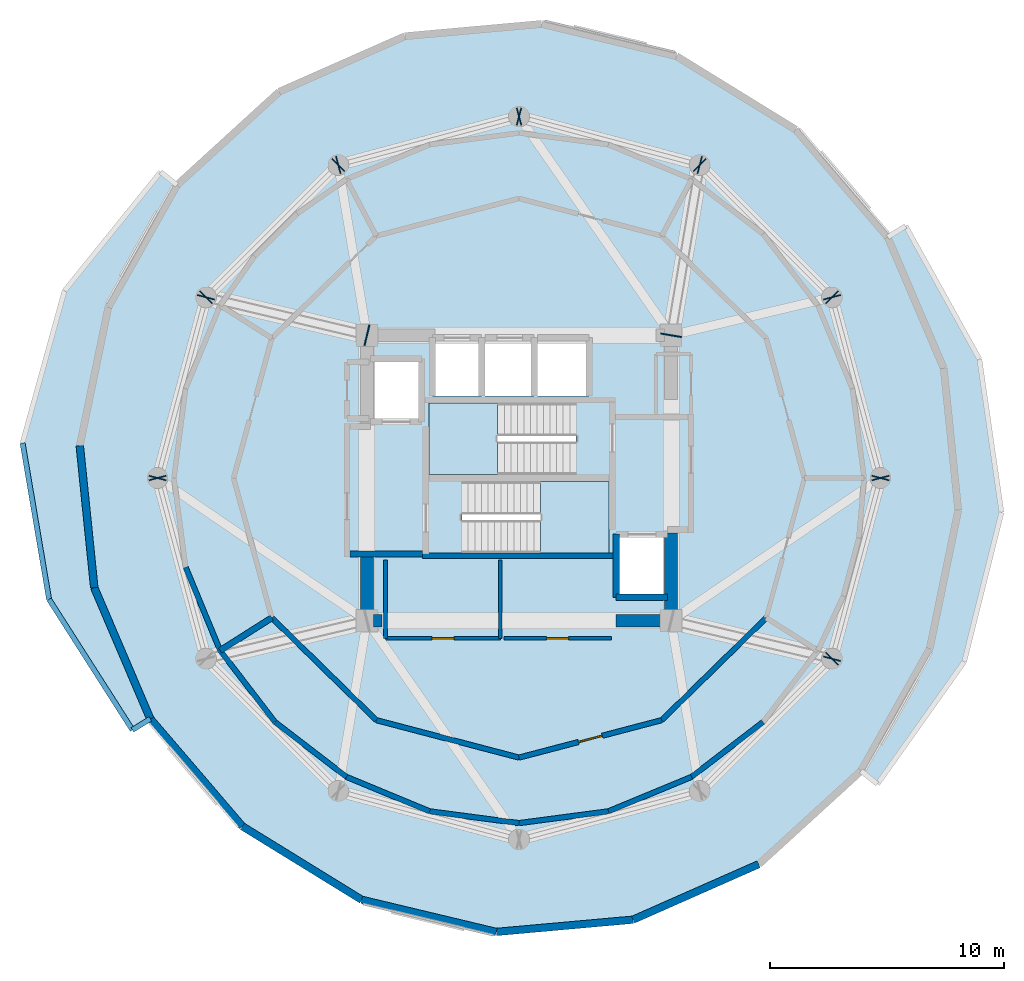
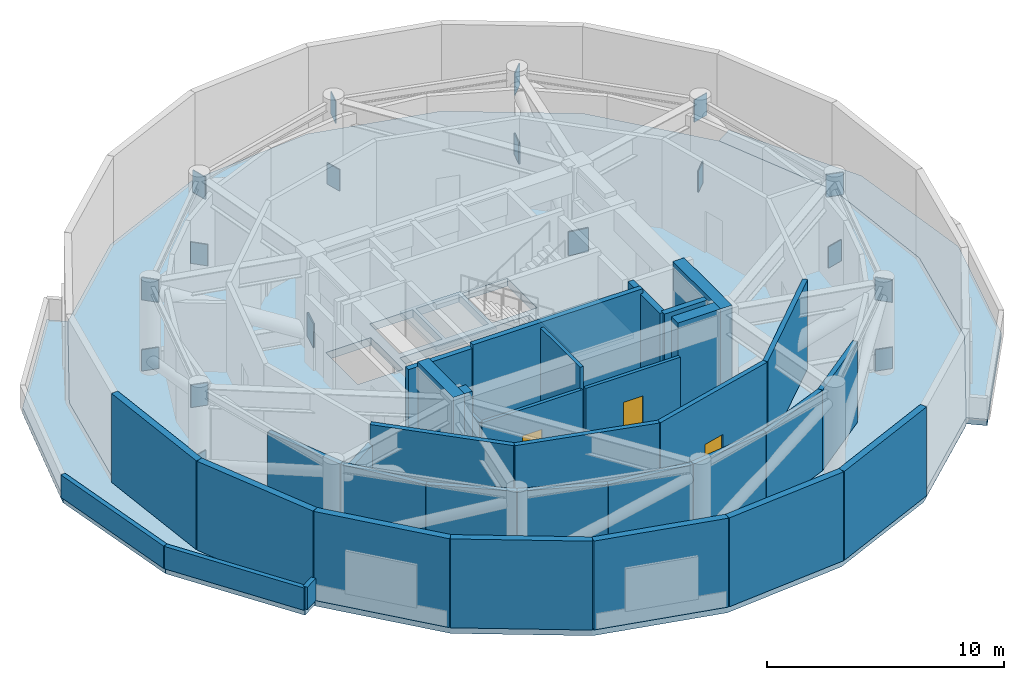
# One storey, part 2 of 7: 35 walls, 18 plates, 5 slabs, 3 doors, 3 openings, 2 elements without a shape of their own.
"""IFC4 building model written with IfcOpenShell, lengths in metres."""

from ifc_helpers import new_model, si_unit, direction, frame, frame_2d, origin, origin_2d, place, context, subcontext, project, spatial, polyline, rectangle, outline, extrude, material, layer, layer_set, type_object, element, fill, aggregate, save


model = new_model("IFC4")

# Units and contexts
model_context = context("Model", 3, precision=1e-05, world=origin(), true_north=direction((0.0, 1.0)))
body_context = subcontext(model_context, "Body", "Model", "MODEL_VIEW")
ifc_project = project(units=[si_unit("LENGTHUNIT", "METRE"), si_unit("AREAUNIT", "SQUARE_METRE"), si_unit("VOLUMEUNIT", "CUBIC_METRE"), si_unit("PLANEANGLEUNIT", "RADIAN"), si_unit("MASSUNIT", "GRAM", prefix="KILO")], contexts=[model_context])

# Site, building, storey
site_placement = place(None, origin())
site = spatial("IfcSite", under=ifc_project, at=site_placement, CompositionType="ELEMENT")
building_placement = place(site_placement, origin())
building = spatial("IfcBuilding", under=site, at=building_placement, Name="Solvirekh Grand Hotel", CompositionType="ELEMENT")
storey_placement = place(building_placement, frame((0.0, 0.0, 234.39990234375)))
storey = spatial("IfcBuildingStorey", under=building, at=storey_placement, Name="L61", CompositionType="ELEMENT", Elevation=234.39990234375)

# Plates
ifc_material_1 = material(Name="Steel S460", Category="steel")
ifc_layer_1 = layer(ifc_material_1, 0.044921875)
ifc_layer_set_1 = layer_set([ifc_layer_1], Name="Steel S460")
plate_type_1 = type_object("IfcPlateType", Name="GussetPlate_45", PredefinedType="USERDEFINED", material=ifc_layer_set_1)
for number, where, z_axis, x_axis, name in (
    (1, (15.449951171875, 0.0, -0.060791015625), (0.0, 0.0, 1.0), (-0.258819045103, 0.965925826289, 0.0), "L61 hollow-section node plate GP-L61-BELT-01A"),
    (2, (13.3798828125, 7.72509765625, 3.53125), (0.0, 0.0, 1.0), (-0.258819045103, 0.965925826289, 0.0), "L61 hollow-section node plate GP-L61-BELT-01B"),
    (3, (13.3798828125, 7.72509765625, -0.060791015625), (0.0, 0.0, 1.0), (-0.707106781187, 0.707106781187, 0.0), "L61 hollow-section node plate GP-L61-BELT-02A"),
    (4, (7.72509765625, 13.3798828125, 3.53125), (0.0, 0.0, 1.0), (-0.707106781187, 0.707106781187, 0.0), "L61 hollow-section node plate GP-L61-BELT-02B"),
    (5, (7.72509765625, 13.3798828125, -0.060791015625), (0.0, 0.0, 1.0), (-0.965925826289, 0.258819045103, 0.0), "L61 hollow-section node plate GP-L61-BELT-03A"),
    (6, (0.0, 15.449951171875, 3.53125), (0.0, 0.0, 1.0), (-0.965925826289, 0.258819045103, 0.0), "L61 hollow-section node plate GP-L61-BELT-03B"),
    (7, (0.0, 15.449951171875, -0.060791015625), (0.0, 0.0, 1.0), (-0.965925826289, -0.258819045103, 0.0), "L61 hollow-section node plate GP-L61-BELT-04A"),
    (8, (-7.72509765625, 13.3798828125, 3.53125), (0.0, 0.0, 1.0), (-0.965925826289, -0.258819045103, 0.0), "L61 hollow-section node plate GP-L61-BELT-04B"),
    (9, (-7.72509765625, 13.3798828125, -0.060791015625), (0.0, 0.0, 1.0), (-0.707106781187, -0.707106781187, 0.0), "L61 hollow-section node plate GP-L61-BELT-05A"),
    (10, (-13.3798828125, 7.72509765625, 3.53125), (0.0, 0.0, 1.0), (-0.707106781187, -0.707106781187, 0.0), "L61 hollow-section node plate GP-L61-BELT-05B"),
    (11, (-13.3798828125, 7.72509765625, -0.060791015625), (0.0, 0.0, 1.0), (-0.258819045103, -0.965925826289, 0.0), "L61 hollow-section node plate GP-L61-BELT-06A"),
    (12, (-15.449951171875, 0.0, 3.53125), (0.0, 0.0, 1.0), (-0.258819045103, -0.965925826289, 0.0), "L61 hollow-section node plate GP-L61-BELT-06B"),
    (13, (-15.449951171875, 0.0, -0.060791015625), (0.0, 0.0, 1.0), (0.258819045103, -0.965925826289, 0.0), "L61 hollow-section node plate GP-L61-BELT-07A"),
    (14, (13.3798828125, -7.72509765625, 3.53125), (0.0, 0.0, 1.0), (0.707106781187, 0.707106781187, 0.0), "L61 hollow-section node plate GP-L61-BELT-11B"),
    (15, (13.3798828125, -7.72509765625, -0.060791015625), (0.0, 0.0, 1.0), (0.258819045103, 0.965925826289, 0.0), "L61 hollow-section node plate GP-L61-BELT-12A"),
    (16, (15.449951171875, 0.0, 3.53125), (0.0, 0.0, 1.0), (0.258819045103, 0.965925826289, 0.0), "L61 hollow-section node plate GP-L61-BELT-12B"),
):
    element("IfcPlate", number, at=place(storey_placement, frame(where, z_axis=z_axis, x_axis=x_axis)), inside=storey, type_object=plate_type_1, Name=name, ObjectType="GUSSET PLATE", PredefinedType="USERDEFINED", context=body_context, shape_type="SweptSolid", body=[
        extrude(rectangle(XDim=0.044921875, YDim=0.75, at=origin_2d()), origin(), (0.0, 0.0, 1.0), 1.14990234375),
    ])
ifc_layer_2 = layer(ifc_material_1, 0.06005859375)
ifc_layer_set_2 = layer_set([ifc_layer_2], Name="Steel S460")
plate_type_2 = type_object("IfcPlateType", Name="GussetPlate_60", PredefinedType="USERDEFINED", material=ifc_layer_set_2)
for number, where, z_axis, x_axis, name in (
    (17, (6.5, 6.10009765625, -0.185791015625), (0.0, 0.0, 1.0), (0.165908239462, 0.986141194799, 0.0), "L61 hollow-section node plate GP-L61-OUTR-03A"),
    (18, (-6.5, 6.10009765625, -0.185791015625), (0.0, 0.0, 1.0), (-0.973219009208, 0.22987988193, 0.0), "L61 hollow-section node plate GP-L61-OUTR-06A"),
):
    element("IfcPlate", number, at=place(storey_placement, frame(where, z_axis=z_axis, x_axis=x_axis)), inside=storey, type_object=plate_type_2, Name=name, ObjectType="GUSSET PLATE", PredefinedType="USERDEFINED", context=body_context, shape_type="SweptSolid", body=[
        extrude(rectangle(XDim=0.06005859375, YDim=0.89990234375, at=origin_2d()), origin(), (0.0, 0.0, 1.0), 1.39990234375),
    ])

# Stair, slab
ifc_material_2 = material(Name="Concrete C40/50", Category="concrete")
stair_type = type_object("IfcStairType", Name="Stair_Core_1450", PredefinedType="HALF_TURN_STAIR", material=ifc_material_2)
stair_1_placement = place(storey_placement, origin())
stair_1 = element("IfcStair", 19, at=stair_1_placement, inside=storey, type_object=stair_type, Name="L61 Enclosed exit stair ST-1", PredefinedType="HALF_TURN_STAIR")
ifc_layer_3 = layer(ifc_material_2, 0.199951171875)
ifc_layer_set_3 = layer_set([ifc_layer_3], Name="Concrete C40/50")
slab_type_1 = type_object("IfcSlabType", Name="Landing_Stair_200", PredefinedType="LANDING", material=ifc_layer_set_3)
slab_1_placement = place(storey_placement, frame((0.0, 0.0, 2.2001953125)))
slab_1 = element("IfcSlab", 20, at=slab_1_placement, type_object=slab_type_1, Name="ST-1 landing 1", PredefinedType="LANDING", context=body_context, shape_type="SweptSolid", body=[
    extrude(outline(polyline([(0.909912109375, -3.199951171875), (3.85009765625, -3.199951171875), (3.85009765625, -0.14990234375), (0.909912109375, -0.14990234375), (0.909912109375, -3.199951171875)])), origin(), (0.0, 0.0, 1.0), 0.199951171875),
])
aggregate(stair_1, [slab_1])

stair_2_placement = place(storey_placement, origin())
stair_2 = element("IfcStair", 21, at=stair_2_placement, inside=storey, type_object=stair_type, Name="L61 Enclosed exit stair ST-2", PredefinedType="HALF_TURN_STAIR")
slab_2_placement = place(storey_placement, frame((0.0, 0.0, 2.2001953125)))
slab_2 = element("IfcSlab", 22, at=slab_2_placement, type_object=slab_type_1, Name="ST-2 landing 1", PredefinedType="LANDING", context=body_context, shape_type="SweptSolid", body=[
    extrude(outline(polyline([(-0.909912109375, 3.199951171875), (-3.85009765625, 3.199951171875), (-3.85009765625, 0.14990234375), (-0.909912109375, 0.14990234375), (-0.909912109375, 3.199951171875)])), origin(), (0.0, 0.0, 1.0), 0.199951171875),
])
aggregate(stair_2, [slab_2])

# Slabs
ifc_material_3 = material(Name="Concrete C50/60", Category="concrete")
ifc_layer_4 = layer(ifc_material_3, 0.320068359375)
ifc_layer_set_4 = layer_set([ifc_layer_4], Name="Concrete C50/60")
slab_type_2 = type_object("IfcSlabType", Name="RoofSlab_Podium_320", PredefinedType="ROOF", material=ifc_layer_set_4)
slab_3_placement = place(storey_placement, frame((0.0, 0.0, -0.31982421875)))
element("IfcSlab", 23, at=slab_3_placement, inside=storey, type_object=slab_type_2, Name="L61 setback mechanical south roof cap", PredefinedType="ROOF", context=body_context, shape_type="SweptSolid", body=[
    extrude(outline(polyline([(-15.320068359375, 13.0791015625), (-19.423095703125, 8.001953125), (-21.219970703125, 1.498046875), (-20.0869140625, -5.18701171875), (-16.52392578125, -10.76806640625), (-15.759033203125, -10.29296875), (-18.154052734375, -4.68798828125), (-18.77294921875, 1.3759765625), (-17.552978515625, 7.304931640625), (-14.615966796875, 12.51904296875), (-15.320068359375, 13.0791015625)])), origin(), (0.0, 0.0, 1.0), 0.31982421875),
])
slab_4_placement = place(storey_placement, frame((0.0, 0.0, -0.31982421875)))
element("IfcSlab", 24, at=slab_4_placement, inside=storey, type_object=slab_type_2, Name="L61 setback mechanical north roof cap", PredefinedType="ROOF", context=body_context, shape_type="SweptSolid", body=[
    extrude(outline(polyline([(15.320068359375, -13.0791015625), (19.02587890625, -7.85400390625), (20.6201171875, -1.468017578125), (19.676025390625, 5.0810546875), (16.52392578125, 10.76806640625), (15.759033203125, 10.29296875), (18.154052734375, 4.68798828125), (18.77294921875, -1.3759765625), (17.552978515625, -7.304931640625), (14.615966796875, -12.51904296875), (15.320068359375, -13.0791015625)])), origin(), (0.0, 0.0, 1.0), 0.31982421875),
])
ifc_layer_5 = layer(ifc_material_3, 0.39990234375)
ifc_layer_set_5 = layer_set([ifc_layer_5], Name="Concrete C50/60")
slab_type_3 = type_object("IfcSlabType", Name="Slab_Plant_400", PredefinedType="FLOOR", material=ifc_layer_set_5)
slab_5_placement = place(storey_placement, frame((0.0, 0.0, -0.39990234375)))
element("IfcSlab", 25, at=slab_5_placement, inside=storey, type_object=slab_type_3, Name="L61 structural floor slab", PredefinedType="FLOOR", context=body_context, shape_type="SweptSolid", body=[
    extrude(outline(polyline([(4.8759765625, -18.881103515625), (10.2470703125, -16.508056640625), (14.615966796875, -12.51904296875), (17.552978515625, -7.304931640625), (18.77294921875, -1.3759765625), (18.154052734375, 4.68798828125), (15.759033203125, 10.29296875), (11.821044921875, 14.89111328125), (6.72607421875, 18.030029296875), (0.972900390625, 19.405029296875), (-4.8759765625, 18.881103515625), (-10.2470703125, 16.508056640625), (-14.615966796875, 12.51904296875), (-17.552978515625, 7.304931640625), (-18.77294921875, 1.3759765625), (-18.154052734375, -4.68798828125), (-15.759033203125, -10.29296875), (-11.821044921875, -14.89111328125), (-6.72607421875, -18.030029296875), (-0.972900390625, -19.405029296875), (4.8759765625, -18.881103515625)]), holes=[polyline([(-2.444091796875, -0.14990234375), (3.85009765625, -0.14990234375), (3.85009765625, -3.199951171875), (-2.444091796875, -3.199951171875), (-2.444091796875, -0.14990234375)]), polyline([(2.444091796875, 0.14990234375), (-3.85009765625, 0.14990234375), (-3.85009765625, 3.199951171875), (2.444091796875, 3.199951171875), (2.444091796875, 0.14990234375)]), polyline([(-3.699951171875, 6.0), (-1.60009765625, 6.0), (-1.60009765625, 3.5), (-3.699951171875, 3.5), (-3.699951171875, 6.0)]), polyline([(-1.449951171875, 6.0), (0.64990234375, 6.0), (0.64990234375, 3.5), (-1.449951171875, 3.5), (-1.449951171875, 6.0)]), polyline([(0.800048828125, 6.0), (3.0, 6.0), (3.0, 3.5), (0.800048828125, 3.5), (0.800048828125, 6.0)]), polyline([(-6.35009765625, 5.10009765625), (-4.14990234375, 5.10009765625), (-4.14990234375, 2.39990234375), (-6.35009765625, 2.39990234375), (-6.35009765625, 5.10009765625)]), polyline([(4.14990234375, -2.39990234375), (6.35009765625, -2.39990234375), (6.35009765625, -5.10009765625), (4.14990234375, -5.10009765625), (4.14990234375, -2.39990234375)])]), origin(), (0.0, 0.0, 1.0), 0.39990234375),
])

# Walls
ifc_layer_6 = layer(ifc_material_3, 0.35009765625)
ifc_layer_set_6 = layer_set([ifc_layer_6], Name="Concrete C50/60")
wall_type_1 = type_object("IfcWallType", Name="CoreDivWall_RC350", PredefinedType="SOLIDWALL", material=ifc_layer_set_6)
wall_1_placement = place(storey_placement, frame((-4.1298828125, -3.324951171875, 0.0), z_axis=(0.0, 0.0, 1.0), x_axis=(1.0, 0.0, 0.0)))
element("IfcWall", 26, at=wall_1_placement, inside=storey, type_object=wall_type_1, Name="L61 core stair box wall ST-S", PredefinedType="SOLIDWALL", context=body_context, shape_type="SweptSolid", body=[
    extrude(rectangle(XDim=8.259765625, YDim=0.25, at=frame_2d((4.1298828125, 0.0))), origin(), (0.0, 0.0, 1.0), 4.800048828125),
])
ifc_layer_7 = layer(ifc_material_2, 0.280029296875)
ifc_layer_set_7 = layer_set([ifc_layer_7], Name="Concrete C40/50")
wall_type_2 = type_object("IfcWallType", Name="CoreShaftWall_RC280", PredefinedType="SOLIDWALL", material=ifc_layer_set_7)
wall_2_placement = place(storey_placement, frame((4.14990234375, -5.10009765625, 0.0), z_axis=(0.0, 0.0, 1.0), x_axis=(1.0, 0.0, 0.0)))
element("IfcWall", 27, at=wall_2_placement, inside=storey, type_object=wall_type_2, Name="L61 FL-2 hoistway S wall", PredefinedType="SOLIDWALL", context=body_context, shape_type="SweptSolid", body=[
    extrude(rectangle(XDim=2.2001953125, YDim=0.280029296875, at=frame_2d((1.10009765625, 0.0))), origin(), (0.0, 0.0, 1.0), 4.570068359375),
])
wall_3_placement = place(storey_placement, frame((4.14990234375, -2.39990234375, 0.0), z_axis=(0.0, 0.0, 1.0), x_axis=(0.0, -1.0, 0.0)))
element("IfcWall", 28, at=wall_3_placement, inside=storey, type_object=wall_type_2, Name="L61 FL-2 hoistway W wall", PredefinedType="SOLIDWALL", context=body_context, shape_type="SweptSolid", body=[
    extrude(rectangle(XDim=2.7001953125, YDim=0.280029296875, at=frame_2d((1.35009765625, 0.0))), origin(), (0.0, 0.0, 1.0), 4.570068359375),
])
ifc_layer_8 = layer(ifc_material_3, 0.550048828125)
ifc_layer_set_8 = layer_set([ifc_layer_8], Name="Concrete C50/60")
wall_type_3 = type_object("IfcWallType", Name="CoreWall_RC550", PredefinedType="SHEAR", material=ifc_layer_set_8)
wall_4_placement = place(storey_placement, frame((-6.22509765625, -6.10009765625, 0.0), z_axis=(0.0, 0.0, 1.0), x_axis=(1.0, 0.0, 0.0)))
element("IfcWall", 29, at=wall_4_placement, inside=storey, type_object=wall_type_3, Name="L61 core corner shear wall SW-S", PredefinedType="SHEAR", context=body_context, shape_type="SweptSolid", body=[
    extrude(rectangle(XDim=0.375, YDim=0.550048828125, at=frame_2d((0.1875, 0.0))), origin(), (0.0, 0.0, 1.0), 4.800048828125),
])
wall_5_placement = place(storey_placement, frame((4.14990234375, -6.10009765625, 0.0), z_axis=(0.0, 0.0, 1.0), x_axis=(1.0, 0.0, 0.0)))
element("IfcWall", 30, at=wall_5_placement, inside=storey, type_object=wall_type_3, Name="L61 core corner shear wall SE-S", PredefinedType="SHEAR", context=body_context, shape_type="SweptSolid", body=[
    extrude(rectangle(XDim=2.0751953125, YDim=0.550048828125, at=frame_2d((1.03759765625, 0.0))), origin(), (0.0, 0.0, 1.0), 4.800048828125),
])
wall_6_placement = place(storey_placement, frame((-6.5, -6.375, 0.0), z_axis=(0.0, 0.0, 1.0), x_axis=(0.0, 1.0, 0.0)))
element("IfcWall", 31, at=wall_6_placement, inside=storey, type_object=wall_type_3, Name="L61 core corner shear wall WS-W", PredefinedType="SHEAR", context=body_context, shape_type="SweptSolid", body=[
    extrude(rectangle(XDim=3.02490234375, YDim=0.550048828125, at=frame_2d((1.512451171875, 0.0))), origin(), (0.0, 0.0, 1.0), 4.800048828125),
])
wall_7_placement = place(storey_placement, frame((6.5, -6.375, 0.0), z_axis=(0.0, 0.0, 1.0), x_axis=(0.0, 1.0, 0.0)))
element("IfcWall", 32, at=wall_7_placement, inside=storey, type_object=wall_type_3, Name="L61 core corner shear wall ES-E", PredefinedType="SHEAR", context=body_context, shape_type="SweptSolid", body=[
    extrude(rectangle(XDim=4.02490234375, YDim=0.550048828125, at=frame_2d((2.012451171875, 0.0))), origin(), (0.0, 0.0, 1.0), 4.800048828125),
])
ifc_material_4 = material(Name="Precast concrete C45/55", Category="concrete")
ifc_layer_9 = layer(ifc_material_4, 0.320068359375)
ifc_layer_set_9 = layer_set([ifc_layer_9], Name="Precast concrete C45/55")
wall_type_4 = type_object("IfcWallType", Name="ExtLobbyWall_RC320", PredefinedType="SOLIDWALL", material=ifc_layer_set_9)
wall_8_placement = place(storey_placement, frame((10.2470703125, -16.508056640625, 0.0), z_axis=(0.0, 0.0, 1.0), x_axis=(-0.914700901603, -0.404131489254, 0.0)))
element("IfcWall", 33, at=wall_8_placement, inside=storey, type_object=wall_type_4, Name="L61 exterior structural wall chord 1", PredefinedType="SOLIDWALL", context=body_context, shape_type="SweptSolid", body=[
    extrude(rectangle(XDim=5.8720703125, YDim=0.320068359375, at=frame_2d((2.93603515625, 0.0))), origin(), (0.0, 0.0, 1.0), 4.570068359375),
])
wall_9_placement = place(storey_placement, frame((-18.154052734375, -4.68798828125, 0.0), z_axis=(0.0, 0.0, 1.0), x_axis=(-0.101533912523, 0.994832078598, 0.0)))
element("IfcWall", 34, at=wall_9_placement, inside=storey, type_object=wall_type_4, Name="L61 exterior structural wall chord 15", PredefinedType="SOLIDWALL", context=body_context, shape_type="SweptSolid", body=[
    extrude(rectangle(XDim=6.095458984375, YDim=0.320068359375, at=frame_2d((3.0478515625, 0.0))), origin(), (0.0, 0.0, 1.0), 4.570068359375),
])
wall_10_placement = place(storey_placement, frame((-15.759033203125, -10.29296875, 0.0), z_axis=(0.0, 0.0, 1.0), x_axis=(-0.392932906798, 0.919567143147, 0.0)))
element("IfcWall", 35, at=wall_10_placement, inside=storey, type_object=wall_type_4, Name="L61 exterior structural wall chord 16", PredefinedType="SOLIDWALL", context=body_context, shape_type="SweptSolid", body=[
    extrude(rectangle(XDim=6.09521484375, YDim=0.320068359375, at=frame_2d((3.047607421875, 0.0))), origin(), (0.0, 0.0, 1.0), 4.570068359375),
])
wall_11_placement = place(storey_placement, frame((-11.821044921875, -14.89111328125, 0.0), z_axis=(0.0, 0.0, 1.0), x_axis=(-0.650479137801, 0.759524121596, 0.0)))
element("IfcWall", 36, at=wall_11_placement, inside=storey, type_object=wall_type_4, Name="L61 exterior structural wall chord 17", PredefinedType="SOLIDWALL", context=body_context, shape_type="SweptSolid", body=[
    extrude(rectangle(XDim=6.053955078125, YDim=0.320068359375, at=frame_2d((3.02685546875, 0.0))), origin(), (0.0, 0.0, 1.0), 4.570068359375),
])
wall_12_placement = place(storey_placement, frame((-6.72607421875, -18.030029296875, 0.0), z_axis=(0.0, 0.0, 1.0), x_axis=(-0.851393465012, 0.52452756623, 0.0)))
element("IfcWall", 37, at=wall_12_placement, inside=storey, type_object=wall_type_4, Name="L61 exterior structural wall chord 18", PredefinedType="SOLIDWALL", context=body_context, shape_type="SweptSolid", body=[
    extrude(rectangle(XDim=5.984375, YDim=0.320068359375, at=frame_2d((2.9921875, 0.0))), origin(), (0.0, 0.0, 1.0), 4.570068359375),
])
wall_13_placement = place(storey_placement, frame((-0.972900390625, -19.405029296875, 0.0), z_axis=(0.0, 0.0, 1.0), x_axis=(-0.972607906466, 0.232451845076, 0.0)))
element("IfcWall", 38, at=wall_13_placement, inside=storey, type_object=wall_type_4, Name="L61 exterior structural wall chord 19", PredefinedType="SOLIDWALL", context=body_context, shape_type="SweptSolid", body=[
    extrude(rectangle(XDim=5.915283203125, YDim=0.320068359375, at=frame_2d((2.95751953125, 0.0))), origin(), (0.0, 0.0, 1.0), 4.570068359375),
])
wall_14_placement = place(storey_placement, frame((4.8759765625, -18.881103515625, 0.0), z_axis=(0.0, 0.0, 1.0), x_axis=(-0.996011950585, -0.08921992094, 0.0)))
element("IfcWall", 39, at=wall_14_placement, inside=storey, type_object=wall_type_4, Name="L61 exterior structural wall chord 20", PredefinedType="SOLIDWALL", context=body_context, shape_type="SweptSolid", body=[
    extrude(rectangle(XDim=5.872314453125, YDim=0.320068359375, at=frame_2d((2.93603515625, 0.0))), origin(), (0.0, 0.0, 1.0), 4.570068359375),
])
ifc_layer_10 = layer(ifc_material_4, 0.219970703125)
ifc_layer_set_10 = layer_set([ifc_layer_10], Name="Precast concrete C45/55")
wall_type_5 = type_object("IfcWallType", Name="ExtParapet_RC220", PredefinedType="PARAPET", material=ifc_layer_set_10)
wall_15_placement = place(storey_placement, frame((-21.219970703125, 1.498046875, 0.0), z_axis=(0.0, 0.0, 1.0), x_axis=(0.167107636865, -0.985938658184, 0.0)))
element("IfcWall", 40, at=wall_15_placement, inside=storey, type_object=wall_type_5, Name="L61 mechanical setback parapet terr 4", PredefinedType="PARAPET", context=body_context, shape_type="SweptSolid", body=[
    extrude(rectangle(XDim=6.780517578125, YDim=0.219970703125, at=frame_2d((3.39013671875, 0.0))), origin(), (0.0, 0.0, 1.0), 1.150146484375),
])
wall_16_placement = place(storey_placement, frame((-20.0869140625, -5.18701171875, 0.0), z_axis=(0.0, 0.0, 1.0), x_axis=(0.538101224455, -0.842880224136, 0.0)))
element("IfcWall", 41, at=wall_16_placement, inside=storey, type_object=wall_type_5, Name="L61 mechanical setback parapet terr 5", PredefinedType="PARAPET", context=body_context, shape_type="SweptSolid", body=[
    extrude(rectangle(XDim=6.621337890625, YDim=0.219970703125, at=frame_2d((3.310546875, 0.0))), origin(), (0.0, 0.0, 1.0), 1.150146484375),
])
wall_17_placement = place(storey_placement, frame((-16.52392578125, -10.76806640625, 0.0), z_axis=(0.0, 0.0, 1.0), x_axis=(0.849472553592, 0.527632808583, 0.0)))
element("IfcWall", 42, at=wall_17_placement, inside=storey, type_object=wall_type_5, Name="L61 mechanical setback parapet terr 6", PredefinedType="PARAPET", context=body_context, shape_type="SweptSolid", body=[
    extrude(rectangle(XDim=0.900390625, YDim=0.219970703125, at=frame_2d((0.4501953125, 0.0))), origin(), (0.0, 0.0, 1.0), 1.150146484375),
])

# Wall, opening, door
ifc_material_5 = material(Name="Acoustic Gypsum Partition Assembly")
ifc_layer_11 = layer(ifc_material_5, 0.1650390625)
ifc_layer_set_11 = layer_set([ifc_layer_11], Name="Acoustic Gypsum Partition Assembly")
wall_type_6 = type_object("IfcWallType", Name="Part_BOH_165", PredefinedType="PARTITIONING", material=ifc_layer_set_11)
wall_18_placement = place(storey_placement, frame((-5.699951171875, -6.85009765625, 0.0), z_axis=(0.0, 0.0, 1.0), x_axis=(1.0, 0.0, 0.0)))
wall_18 = element("IfcWall", 43, at=wall_18_placement, inside=storey, type_object=wall_type_6, Name="L61 High-Zone Housekeeping Linen Room wall 1", PredefinedType="PARTITIONING", context=body_context, shape_type="SweptSolid", body=[
    extrude(rectangle(XDim=4.89990234375, YDim=0.1650390625, at=frame_2d((2.449951171875, 0.0))), origin(), (0.0, 0.0, 1.0), 3.455078125),
])
opening_1_placement = place(wall_18_placement, frame((1.97509765625, 0.0, 0.0)))
opening_1 = element("IfcOpeningElement", 44, at=opening_1_placement, cuts=wall_18, Name="Opening D10", PredefinedType="OPENING", context=body_context, shape_type="SweptSolid", body=[
    extrude(rectangle(XDim=0.949951171875, YDim=2.10009765625, at=frame_2d((0.47509765625, 1.050048828125))), frame((0.0, 0.092529296875, 0.0), z_axis=(0.0, -1.0, 0.0), x_axis=(1.0, 0.0, 0.0)), (0.0, 0.0, 1.0), 0.18505859375),
])
ifc_material_6 = material(Name="Anodized Bronze Aluminium 6063-T6", Category="aluminium")
door_type_1 = type_object("IfcDoorType", Name="Door_RoomInt_950X2100", OperationType="NOTDEFINED", PredefinedType="DOOR", material=ifc_material_6)
door_1_placement = place(opening_1_placement, origin())
door_1 = element("IfcDoor", 45, at=door_1_placement, inside=storey, type_object=door_type_1, Name="L61 High-Zone Housekeeping Linen Room door", OperationType="SINGLE_SWING_RIGHT", OverallHeight=2.10009765625, OverallWidth=0.949951171875, PredefinedType="DOOR", context=body_context, shape_type="SweptSolid", body=[
    extrude(rectangle(XDim=0.949951171875, YDim=2.10009765625, at=frame_2d((0.47509765625, 1.050048828125))), frame((0.0, 0.02490234375, 0.0), z_axis=(0.0, -1.0, 0.0), x_axis=(1.0, 0.0, 0.0)), (0.0, 0.0, 1.0), 0.050048828125),
])
fill(opening_1, door_1)

# Walls
wall_19_placement = place(storey_placement, frame((-0.800048828125, -6.85009765625, 0.0), z_axis=(0.0, 0.0, 1.0), x_axis=(0.0, 1.0, 0.0)))
element("IfcWall", 46, at=wall_19_placement, inside=storey, type_object=wall_type_6, Name="L61 High-Zone Housekeeping Linen Room wall 2", PredefinedType="PARTITIONING", context=body_context, shape_type="SweptSolid", body=[
    extrude(rectangle(XDim=3.35009765625, YDim=0.1650390625, at=frame_2d((1.675048828125, 0.0))), origin(), (0.0, 0.0, 1.0), 4.570068359375),
])
wall_20_placement = place(storey_placement, frame((-5.699951171875, -3.5, 0.0), z_axis=(0.0, 0.0, 1.0), x_axis=(0.0, -1.0, 0.0)))
element("IfcWall", 47, at=wall_20_placement, inside=storey, type_object=wall_type_6, Name="L61 High-Zone Housekeeping Linen Room wall 4", PredefinedType="PARTITIONING", context=body_context, shape_type="SweptSolid", body=[
    extrude(rectangle(XDim=3.35009765625, YDim=0.1650390625, at=frame_2d((1.675048828125, 0.0))), origin(), (0.0, 0.0, 1.0), 3.455078125),
])

# Wall, opening, door
wall_21_placement = place(storey_placement, frame((-0.64990234375, -6.85009765625, 0.0), z_axis=(0.0, 0.0, 1.0), x_axis=(1.0, 0.0, 0.0)))
wall_21 = element("IfcWall", 48, at=wall_21_placement, inside=storey, type_object=wall_type_6, Name="L61 Butler Valet Steward Room wall 1", PredefinedType="PARTITIONING", context=body_context, shape_type="SweptSolid", body=[
    extrude(rectangle(XDim=4.599853515625, YDim=0.1650390625, at=frame_2d((2.2998046875, 0.0))), origin(), (0.0, 0.0, 1.0), 3.455078125),
])
opening_2_placement = place(wall_21_placement, frame((1.824951171875, 0.0, 0.0)))
opening_2 = element("IfcOpeningElement", 49, at=opening_2_placement, cuts=wall_21, Name="Opening D10", PredefinedType="OPENING", context=body_context, shape_type="SweptSolid", body=[
    extrude(rectangle(XDim=0.949951171875, YDim=2.10009765625, at=frame_2d((0.47509765625, 1.050048828125))), frame((0.0, 0.092529296875, 0.0), z_axis=(0.0, -1.0, 0.0), x_axis=(1.0, 0.0, 0.0)), (0.0, 0.0, 1.0), 0.18505859375),
])
door_2_placement = place(opening_2_placement, origin())
door_2 = element("IfcDoor", 50, at=door_2_placement, inside=storey, type_object=door_type_1, Name="L61 Butler Valet Steward Room door", OperationType="SINGLE_SWING_LEFT", OverallHeight=2.10009765625, OverallWidth=0.949951171875, PredefinedType="DOOR", context=body_context, shape_type="SweptSolid", body=[
    extrude(rectangle(XDim=0.949951171875, YDim=2.10009765625, at=frame_2d((0.47509765625, 1.050048828125))), frame((0.0, 0.02490234375, 0.0), z_axis=(0.0, -1.0, 0.0), x_axis=(1.0, 0.0, 0.0)), (0.0, 0.0, 1.0), 0.050048828125),
])
fill(opening_2, door_2)

# Walls
ifc_layer_12 = layer(ifc_material_5, 0.260009765625)
ifc_layer_set_12 = layer_set([ifc_layer_12], Name="Acoustic Gypsum Partition Assembly")
wall_type_7 = type_object("IfcWallType", Name="Part_LobbyFF_260", PredefinedType="PARTITIONING", material=ifc_layer_set_12)
wall_22_placement = place(storey_placement, frame((-7.22509765625, -3.25, 0.0), z_axis=(0.0, 0.0, 1.0), x_axis=(1.0, 0.0, 0.0)))
element("IfcWall", 51, at=wall_22_placement, inside=storey, type_object=wall_type_7, Name="L61 west firefighting lobby south partition", PredefinedType="PARTITIONING", context=body_context, shape_type="SweptSolid", body=[
    extrude(rectangle(XDim=3.09521484375, YDim=0.260009765625, at=frame_2d((1.547607421875, 0.0))), origin(), (0.0, 0.0, 1.0), 4.570068359375),
])
wall_23_placement = place(storey_placement, frame((-10.56591796875, -5.97509765625, 0.0), z_axis=(0.0, 0.0, 1.0), x_axis=(-0.844560080063, -0.53546080264, 0.0)))
element("IfcWall", 52, at=wall_23_placement, inside=storey, type_object=wall_type_7, Name="L61 radial demising wall 8", PredefinedType="PARTITIONING", context=body_context, shape_type="SweptSolid", body=[
    extrude(rectangle(XDim=2.614501953125, YDim=0.260009765625, at=frame_2d((1.30712890625, 0.0))), origin(), (0.0, 0.0, 1.0), 3.533203125),
])
ifc_layer_13 = layer(ifc_material_4, 0.22509765625)
ifc_layer_set_13 = layer_set([ifc_layer_13], Name="Precast concrete C45/55")
wall_type_8 = type_object("IfcWallType", Name="Part_Plant_225", PredefinedType="PARTITIONING", material=ifc_layer_set_13)
wall_24_placement = place(storey_placement, frame((-14.2470703125, -3.818115234375, 0.0), z_axis=(0.0, 0.0, 1.0), x_axis=(0.382646766164, -0.923894719297, 0.0)))
element("IfcWall", 53, at=wall_24_placement, inside=storey, type_object=wall_type_8, Name="L61 West Chilled-Water Plant Room perimeter acoustic baffle wall 4", PredefinedType="PARTITIONING", context=body_context, shape_type="SweptSolid", body=[
    extrude(rectangle(XDim=3.849853515625, YDim=0.22509765625, at=frame_2d((1.9248046875, 0.0))), origin(), (0.0, 0.0, 1.0), 4.13916015625),
])

# Wall, opening, door
wall_25_placement = place(storey_placement, frame((0.0, -11.949951171875, 0.0), z_axis=(0.0, 0.0, 1.0), x_axis=(0.967248312895, 0.253832033445, 0.0)))
wall_25 = element("IfcWall", 54, at=wall_25_placement, inside=storey, type_object=wall_type_8, Name="L61 Pressurized Occupant Refuge Area corridor wall", PredefinedType="PARTITIONING", context=body_context, shape_type="SweptSolid", body=[
    extrude(rectangle(XDim=6.306640625, YDim=0.22509765625, at=frame_2d((3.1533203125, 0.0))), origin(), (0.0, 0.0, 1.0), 4.570068359375),
])
opening_3_placement = place(wall_25_placement, frame((2.6279296875, 0.0, 0.0)))
opening_3 = element("IfcOpeningElement", 55, at=opening_3_placement, cuts=wall_25, Name="Opening D12", PredefinedType="OPENING", context=body_context, shape_type="SweptSolid", body=[
    extrude(rectangle(XDim=1.050048828125, YDim=2.14990234375, at=frame_2d((0.52490234375, 1.074951171875))), frame((0.0, 0.12255859375, 0.0), z_axis=(0.0, -1.0, 0.0), x_axis=(1.0, 0.0, 0.0)), (0.0, 0.0, 1.0), 0.2451171875),
])
ifc_material_7 = material(Name="Fire-Rated Steel Door Assembly", Category="steel")
door_type_2 = type_object("IfcDoorType", Name="Door_PlantBOH_1050X2150", OperationType="NOTDEFINED", PredefinedType="DOOR", material=ifc_material_7)
door_3_placement = place(opening_3_placement, origin())
door_3 = element("IfcDoor", 56, at=door_3_placement, inside=storey, type_object=door_type_2, Name="L61 Pressurized Occupant Refuge Area entrance door", OperationType="SINGLE_SWING_RIGHT", OverallHeight=2.14990234375, OverallWidth=1.050048828125, PredefinedType="DOOR", context=body_context, shape_type="SweptSolid", body=[
    extrude(rectangle(XDim=1.050048828125, YDim=2.14990234375, at=frame_2d((0.52490234375, 1.074951171875))), frame((0.0, 0.02490234375, 0.0), z_axis=(0.0, -1.0, 0.0), x_axis=(1.0, 0.0, 0.0)), (0.0, 0.0, 1.0), 0.050048828125),
])
fill(opening_3, door_3)

# Walls
wall_26_placement = place(storey_placement, frame((-10.56591796875, -5.97509765625, 0.0), z_axis=(0.0, 0.0, 1.0), x_axis=(0.714411174131, -0.699726142342, 0.0)))
element("IfcWall", 57, at=wall_26_placement, inside=storey, type_object=wall_type_8, Name="L61 Pressurized Occupant Refuge Area corridor wall 2", PredefinedType="PARTITIONING", context=body_context, shape_type="SweptSolid", body=[
    extrude(rectangle(XDim=6.2509765625, YDim=0.22509765625, at=frame_2d((3.12548828125, 0.0))), origin(), (0.0, 0.0, 1.0), 4.570068359375),
])
wall_27_placement = place(storey_placement, frame((-6.10009765625, -10.34912109375, 0.0), z_axis=(0.0, 0.0, 1.0), x_axis=(0.967248312895, -0.253832033445, 0.0)))
element("IfcWall", 58, at=wall_27_placement, inside=storey, type_object=wall_type_8, Name="L61 Pressurized Occupant Refuge Area corridor wall 3", PredefinedType="PARTITIONING", context=body_context, shape_type="SweptSolid", body=[
    extrude(rectangle(XDim=6.306640625, YDim=0.22509765625, at=frame_2d((3.1533203125, 0.0))), origin(), (0.0, 0.0, 1.0), 4.570068359375),
])
wall_28_placement = place(storey_placement, frame((6.10009765625, -10.34912109375, 0.0), z_axis=(0.0, 0.0, 1.0), x_axis=(0.714411174131, 0.699726142342, 0.0)))
element("IfcWall", 59, at=wall_28_placement, inside=storey, type_object=wall_type_8, Name="L61 Pressurized Occupant Refuge Area corridor wall 4", PredefinedType="PARTITIONING", context=body_context, shape_type="SweptSolid", body=[
    extrude(rectangle(XDim=6.2509765625, YDim=0.22509765625, at=frame_2d((3.12548828125, 0.0))), origin(), (0.0, 0.0, 1.0), 4.570068359375),
])
for number, where, z_axis, x_axis, name in (
    (60, (-12.77392578125, -7.375, 0.0), (0.0, 0.0, 1.0), (0.608738977122, -0.793370567725, 0.0), "L61 Pressurized Occupant Refuge Area perimeter acoustic baffle wall 1"),
    (61, (-10.429931640625, -10.429931640625, 0.0), (0.0, 0.0, 1.0), (0.793370567725, -0.608738977122, 0.0), "L61 Pressurized Occupant Refuge Area perimeter acoustic baffle wall 2"),
):
    element("IfcWall", number, at=place(storey_placement, frame(where, z_axis=z_axis, x_axis=x_axis)), inside=storey, type_object=wall_type_8, Name=name, PredefinedType="PARTITIONING", context=body_context, shape_type="SweptSolid", body=[
        extrude(rectangle(XDim=3.8505859375, YDim=0.22509765625, at=frame_2d((1.92529296875, 0.0))), origin(), (0.0, 0.0, 1.0), 4.13916015625),
    ])
wall_29_placement = place(storey_placement, frame((-7.375, -12.77392578125, 0.0), z_axis=(0.0, 0.0, 1.0), x_axis=(0.923894719297, -0.382646766164, 0.0)))
element("IfcWall", 62, at=wall_29_placement, inside=storey, type_object=wall_type_8, Name="L61 Pressurized Occupant Refuge Area perimeter acoustic baffle wall 3", PredefinedType="PARTITIONING", context=body_context, shape_type="SweptSolid", body=[
    extrude(rectangle(XDim=3.849853515625, YDim=0.22509765625, at=frame_2d((1.9248046875, 0.0))), origin(), (0.0, 0.0, 1.0), 4.13916015625),
])
for number, where, z_axis, x_axis, name in (
    (63, (-3.818115234375, -14.2470703125, 0.0), (0.0, 0.0, 1.0), (0.991435944752, -0.130593902819, 0.0), "L61 Pressurized Occupant Refuge Area perimeter acoustic baffle wall 4"),
    (64, (0.0, -14.75, 0.0), (0.0, 0.0, 1.0), (0.991435944752, 0.130593902819, 0.0), "L61 Pressurized Occupant Refuge Area perimeter acoustic baffle wall 5"),
):
    element("IfcWall", number, at=place(storey_placement, frame(where, z_axis=z_axis, x_axis=x_axis)), inside=storey, type_object=wall_type_8, Name=name, PredefinedType="PARTITIONING", context=body_context, shape_type="SweptSolid", body=[
        extrude(rectangle(XDim=3.85107421875, YDim=0.22509765625, at=frame_2d((1.925537109375, 0.0))), origin(), (0.0, 0.0, 1.0), 4.13916015625),
    ])
wall_30_placement = place(storey_placement, frame((3.818115234375, -14.2470703125, 0.0), z_axis=(0.0, 0.0, 1.0), x_axis=(0.923894719297, 0.382646766164, 0.0)))
element("IfcWall", 65, at=wall_30_placement, inside=storey, type_object=wall_type_8, Name="L61 Pressurized Occupant Refuge Area perimeter acoustic baffle wall 6", PredefinedType="PARTITIONING", context=body_context, shape_type="SweptSolid", body=[
    extrude(rectangle(XDim=3.849853515625, YDim=0.22509765625, at=frame_2d((1.9248046875, 0.0))), origin(), (0.0, 0.0, 1.0), 4.13916015625),
])
wall_31_placement = place(storey_placement, frame((7.375, -12.77392578125, 0.0), z_axis=(0.0, 0.0, 1.0), x_axis=(0.793370567725, 0.608738977122, 0.0)))
element("IfcWall", 66, at=wall_31_placement, inside=storey, type_object=wall_type_8, Name="L61 Pressurized Occupant Refuge Area perimeter acoustic baffle wall 7", PredefinedType="PARTITIONING", context=body_context, shape_type="SweptSolid", body=[
    extrude(rectangle(XDim=3.8505859375, YDim=0.22509765625, at=frame_2d((1.92529296875, 0.0))), origin(), (0.0, 0.0, 1.0), 4.13916015625),
])

save(model, "model.ifc")
